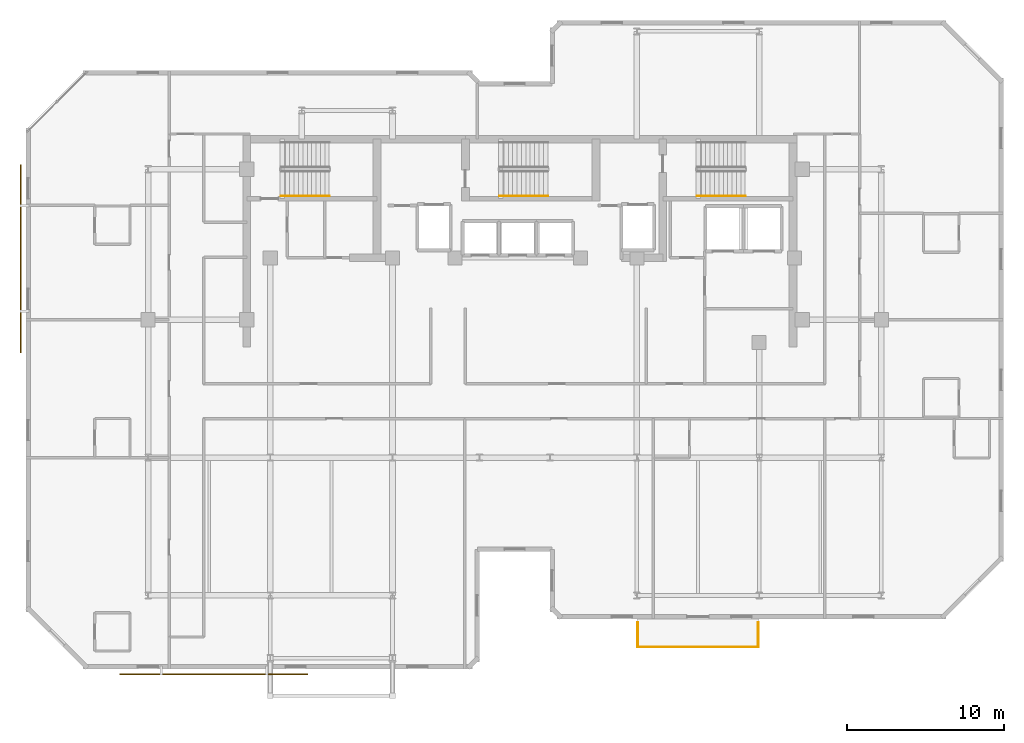
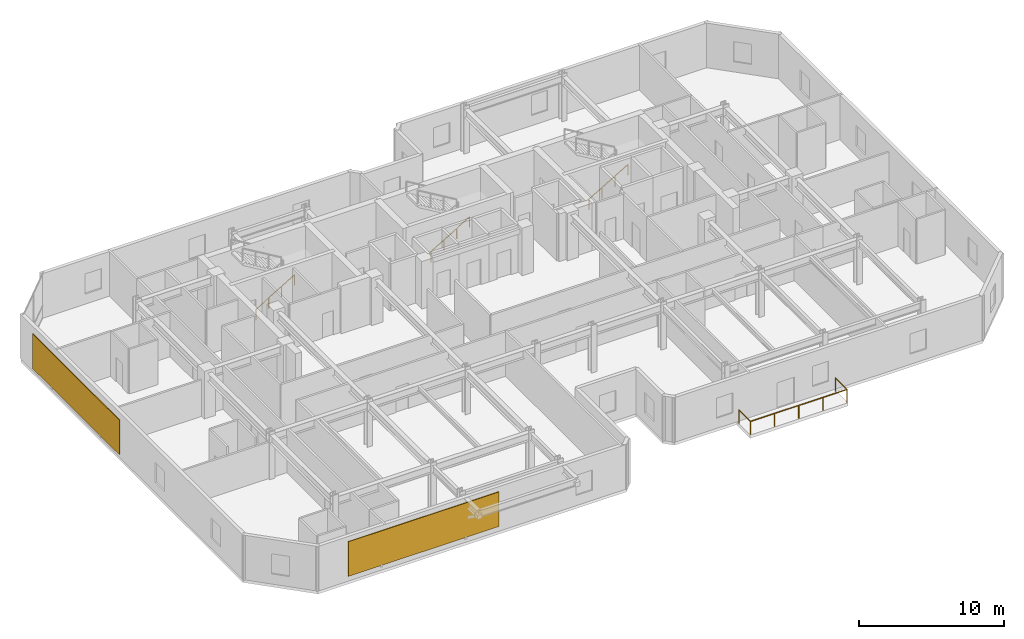
# One storey, part 9 of 10: 5 railings, 2 shading devices.
"""IFC4 building model written with IfcOpenShell, lengths in metres."""

import ifcopenshell
import ifcopenshell.guid

model = None  # the IFC model being written
_history = None  # IfcOwnerHistory: only IFC2X3 demands one
_inside = {}  # id of a spatial element -> (the spatial element, [elements in it])
_under = {}  # id of a project, library or spatial element -> (it, [spatial elements below it])
_declared = {}  # id of a project -> (the project, [libraries it declares])
_typed = {}  # id of a type object -> (the type object, [elements of that type])
_made_of = {}  # id of a material, layer set ... -> (it, [elements and type objects made of it])


def new_model(schema):
    """Start an empty IFC model of exactly this schema.

    Asked for "IFC4X3", IfcOpenShell would pick the latest addendum, in which some entities
    have other attributes; the version numbers below select the first issue.
    IFC2X3 requires an IfcOwnerHistory on every rooted entity: one is made here for all.
    """
    global model, _history
    if schema == "IFC4X3":
        model = ifcopenshell.file(schema_version=(4, 3, 0, 0))
    else:
        model = ifcopenshell.file(schema=schema)
    _inside.clear()
    _under.clear()
    _declared.clear()
    _typed.clear()
    _made_of.clear()
    _history = None
    if model.schema == "IFC2X3":
        org = make("IfcOrganization", Name="unknown")
        user = make(
            "IfcPersonAndOrganization",
            ThePerson=make("IfcPerson", FamilyName="unknown"),
            TheOrganization=org,
        )
        app = make(
            "IfcApplication",
            ApplicationDeveloper=org,
            Version="unknown",
            ApplicationFullName="unknown",
            ApplicationIdentifier="unknown",
        )
        _history = make(
            "IfcOwnerHistory",
            OwningUser=user,
            OwningApplication=app,
            ChangeAction="ADDED",
            CreationDate=0,
        )
    return model


def make(cls, **values):
    """One entity of the class cls with the attributes given. An attribute that is None is left unset."""
    return model.create_entity(
        cls, **{name: value for name, value in values.items() if value is not None}
    )


def rooted(cls, **values):
    """An entity with a GlobalId (a new one), such as an element, a storey or a relation."""
    return make(cls, GlobalId=ifcopenshell.guid.new(), OwnerHistory=_history, **values)


def si_unit(unit_type, name, prefix=None):
    """IfcSIUnit, for example si_unit("LENGTHUNIT", "METRE", prefix="MILLI")."""
    return make("IfcSIUnit", UnitType=unit_type, Prefix=prefix, Name=name)


def assignment(units):
    """IfcUnitAssignment: the units of a project."""
    return None if units is None else make("IfcUnitAssignment", Units=units)


def point(xyz):
    """IfcCartesianPoint."""
    return None if xyz is None else make("IfcCartesianPoint", Coordinates=xyz)


def direction(xyz):
    """IfcDirection."""
    return None if xyz is None else make("IfcDirection", DirectionRatios=xyz)


def frame(location, z_axis=None, x_axis=None):
    """IfcAxis2Placement3D, a coordinate frame: its origin and axes. An axis left out is left unset."""
    return make(
        "IfcAxis2Placement3D",
        Location=point(location),
        Axis=direction(z_axis),
        RefDirection=direction(x_axis),
    )


def frame_2d(location, x_axis=None):
    """IfcAxis2Placement2D, a coordinate frame in the plane: its origin and x axis."""
    return make(
        "IfcAxis2Placement2D", Location=point(location), RefDirection=direction(x_axis)
    )


def origin():
    """The frame at (0, 0, 0) with its axes left unset."""
    return frame((0.0, 0.0, 0.0))


def origin_2d():
    """The frame at (0, 0) in the plane with its x axis left unset."""
    return frame_2d((0.0, 0.0))


def place(relative_to, where):
    """IfcLocalPlacement: puts the frame where relative to a parent placement (None: the world)."""
    return make(
        "IfcLocalPlacement", PlacementRelTo=relative_to, RelativePlacement=where
    )


def context(
    kind, dimensions, precision=None, world=None, true_north=None, identifier=None
):
    """IfcGeometricRepresentationContext, for example the 3D "Model" context."""
    return make(
        "IfcGeometricRepresentationContext",
        ContextIdentifier=identifier,
        ContextType=kind,
        CoordinateSpaceDimension=dimensions,
        Precision=precision,
        WorldCoordinateSystem=world,
        TrueNorth=true_north,
    )


def subcontext(parent, identifier, kind, view, scale=None):
    """IfcGeometricRepresentationSubContext, for example "Body" below "Model"."""
    return make(
        "IfcGeometricRepresentationSubContext",
        ContextIdentifier=identifier,
        ContextType=kind,
        ParentContext=parent,
        TargetScale=scale,
        TargetView=view,
    )


def project(units=None, contexts=None):
    """IfcProject with its units and contexts."""
    return rooted(
        "IfcProject",
        Name="project",
        RepresentationContexts=contexts,
        UnitsInContext=assignment(units),
    )


def spatial(cls, under=None, at=None, **own):
    """A site, building, storey or space (cls), placed at a placement, below another one or the project."""
    s = rooted(cls, ObjectPlacement=at, **own)
    if under is not None:
        _under.setdefault(under.id(), (under, []))[1].append(s)
    return s


def profile(cls, at=None, kind="AREA", **sizes):
    """A parametric profile (cls). Its sizes go by their IFC names, for example OverallWidth=200.0."""
    return make(cls, ProfileType=kind, Position=at, **sizes)


def rectangle(**sizes):
    """IfcRectangleProfileDef."""
    return profile("IfcRectangleProfileDef", **sizes)


def circle(**sizes):
    """IfcCircleProfileDef."""
    return profile("IfcCircleProfileDef", **sizes)


def extrude(swept, where, along, depth):
    """IfcExtrudedAreaSolid: the profile swept, set in the frame where, extruded along a direction by depth."""
    return make(
        "IfcExtrudedAreaSolid",
        SweptArea=swept,
        Position=where,
        ExtrudedDirection=direction(along),
        Depth=depth,
    )


def shape(context_of_items, identifier, shape_type, items):
    """IfcShapeRepresentation: the items that make up one representation, for example the "Body"."""
    return make(
        "IfcShapeRepresentation",
        ContextOfItems=context_of_items,
        RepresentationIdentifier=identifier,
        RepresentationType=shape_type,
        Items=items,
    )


def material(Name=None, Category=None):
    """IfcMaterial."""
    return make("IfcMaterial", Name=Name, Category=Category)


def layer(
    of_material, thickness, ventilated=None, Name=None, Category=None, Priority=None
):
    """IfcMaterialLayer: one layer of a wall or slab, of a material (None: an air gap)."""
    return make(
        "IfcMaterialLayer",
        Material=of_material,
        LayerThickness=thickness,
        IsVentilated=ventilated,
        Name=Name,
        Category=Category,
        Priority=Priority,
    )


def layer_set(layers, Name=None):
    """IfcMaterialLayerSet."""
    return make("IfcMaterialLayerSet", MaterialLayers=layers, LayerSetName=Name)


def made_of(thing, what):
    """Note that an element or type object is made of a material, layer set ...; save() writes the relation."""
    if what is not None:
        _made_of.setdefault(what.id(), (what, []))[1].append(thing)
    return thing


def type_object(cls, material=None, **own):
    """A type object (cls), such as IfcWallType, which elements share."""
    return made_of(rooted(cls, **own), material)


def element(
    cls,
    number,
    at=None,
    inside=None,
    cuts=None,
    type_object=None,
    material=None,
    context=None,
    identifier="Body",
    shape_type=None,
    held_by="IfcProductDefinitionShape",
    body=None,
    shapes=None,
    **own,
):
    """One element of the class cls, such as IfcWall. Its Tag is "e" and its number.

    at: its placement. inside: the storey or other place that contains it. cuts: it is an
    opening in that element (IfcRelVoidsElement). A single representation is given by context,
    identifier, shape_type and body (its items); several are given by shapes. held_by: the class
    of the entity that holds the representations. save() writes the other relations.
    """
    e = rooted(cls, Tag="e%d" % number, ObjectPlacement=at, **own)
    if body is not None:
        shapes = [shape(context, identifier, shape_type, body)]
    if shapes is not None:
        e.Representation = make(held_by, Representations=shapes)
    if inside is not None:
        _inside.setdefault(inside.id(), (inside, []))[1].append(e)
    if cuts is not None:
        rooted(
            "IfcRelVoidsElement", RelatingBuildingElement=cuts, RelatedOpeningElement=e
        )
    if type_object is not None:
        _typed.setdefault(type_object.id(), (type_object, []))[1].append(e)
    return made_of(e, material)


def aggregate(whole, parts):
    """IfcRelAggregates: a whole, such as a stair, and the parts it consists of."""
    return rooted("IfcRelAggregates", RelatingObject=whole, RelatedObjects=parts)


def save(model, path):
    """Write the relations noted so far, then the file.

    IfcRelAggregates (storeys below a building ...), IfcRelContainedInSpatialStructure (elements
    in a storey), IfcRelDefinesByType, IfcRelAssociatesMaterial and IfcRelDeclares: one each for
    every whole, place, type object, material and project.
    """
    for whole, parts in _under.values():
        aggregate(whole, parts)
    for where, things in _inside.values():
        rooted(
            "IfcRelContainedInSpatialStructure",
            RelatedElements=things,
            RelatingStructure=where,
        )
    for kind, things in _typed.values():
        rooted("IfcRelDefinesByType", RelatedObjects=things, RelatingType=kind)
    for what, things in _made_of.values():
        rooted("IfcRelAssociatesMaterial", RelatedObjects=things, RelatingMaterial=what)
    for by, libraries in _declared.values():
        rooted("IfcRelDeclares", RelatingContext=by, RelatedDefinitions=libraries)
    model.write(path)


model = new_model("IFC4")

# Units and contexts
model_context = context("Model", 3, precision=1e-05, world=origin(), true_north=direction((0.0, 1.0)))
body_context = subcontext(model_context, "Body", "Model", "MODEL_VIEW")
ifc_project = project(units=[si_unit("LENGTHUNIT", "METRE"), si_unit("AREAUNIT", "SQUARE_METRE"), si_unit("VOLUMEUNIT", "CUBIC_METRE"), si_unit("PLANEANGLEUNIT", "RADIAN"), si_unit("MASSUNIT", "GRAM", prefix="KILO")], contexts=[model_context])

# Site, building, storey
site_placement = place(None, origin())
site = spatial("IfcSite", under=ifc_project, at=site_placement, CompositionType="ELEMENT")
building_placement = place(site_placement, origin())
building = spatial("IfcBuilding", under=site, at=building_placement, Name="Kestravale Grand Hotel", CompositionType="ELEMENT")
storey_placement = place(building_placement, frame((0.0, 0.0, 269.39990234375)))
storey = spatial("IfcBuildingStorey", under=building, at=storey_placement, Name="L67", CompositionType="ELEMENT", Elevation=269.39990234375)

# Railings
ifc_material_1 = material(Name="Champagne-bronze stainless steel and laminated glass guard", Category="steel")
railing_type_1 = type_object("IfcRailingType", Name="RL-EXT-1100", PredefinedType="GUARDRAIL", material=ifc_material_1)
railing_1_placement = place(storey_placement, frame((46.860107421875, 7.909912109375, 0.0)))
element("IfcRailing", 1, at=railing_1_placement, inside=storey, type_object=railing_type_1, Name="L67 outdoor terrace guard 1", PredefinedType="GUARDRAIL", context=body_context, shape_type="SweptSolid", body=[
    extrude(circle(Radius=0.02392578125, at=origin_2d()), frame((0.0, 0.0, 1.09619140625), z_axis=(0.0, 1.0, 0.0), x_axis=(-1.0, 0.0, 0.0)), (0.0, 0.0, 1.0), 1.570068359375),
    extrude(circle(Radius=0.02099609375, at=origin_2d()), origin(), (0.0, 0.0, 1.0), 1.072021484375),
    extrude(circle(Radius=0.02099609375, at=origin_2d()), frame((0.0, 1.570068359375, 0.0)), (0.0, 0.0, 1.0), 1.072021484375),
])
railing_2_placement = place(storey_placement, frame((54.5400390625, 9.47998046875, 0.0)))
element("IfcRailing", 2, at=railing_2_placement, inside=storey, type_object=railing_type_1, Name="L67 outdoor terrace guard 2", PredefinedType="GUARDRAIL", context=body_context, shape_type="SweptSolid", body=[
    extrude(circle(Radius=0.02392578125, at=origin_2d()), frame((0.0, 0.0, 1.09619140625), z_axis=(0.0, -1.0, 0.0), x_axis=(1.0, 0.0, 0.0)), (0.0, 0.0, 1.0), 1.570068359375),
    extrude(circle(Radius=0.02392578125, at=origin_2d()), frame((0.0, -1.570068359375, 1.09619140625), z_axis=(-1.0, 0.0, 0.0), x_axis=(0.0, -1.0, 0.0)), (0.0, 0.0, 1.0), 7.679931640625),
    extrude(circle(Radius=0.02099609375, at=origin_2d()), origin(), (0.0, 0.0, 1.0), 1.072021484375),
    extrude(circle(Radius=0.02099609375, at=origin_2d()), frame((0.0, -1.570068359375, 0.0)), (0.0, 0.0, 1.0), 1.072021484375),
    extrude(circle(Radius=0.02099609375, at=origin_2d()), frame((-1.919921875, -1.570068359375, 0.0)), (0.0, 0.0, 1.0), 1.072021484375),
    extrude(circle(Radius=0.02099609375, at=origin_2d()), frame((-3.83984375, -1.570068359375, 0.0)), (0.0, 0.0, 1.0), 1.072021484375),
    extrude(circle(Radius=0.02099609375, at=origin_2d()), frame((-5.760009765625, -1.570068359375, 0.0)), (0.0, 0.0, 1.0), 1.072021484375),
    extrude(circle(Radius=0.02099609375, at=origin_2d()), frame((-7.679931640625, -1.570068359375, 0.0)), (0.0, 0.0, 1.0), 1.072021484375),
])
ifc_material_2 = material(Name="Brushed stainless steel wall handrail", Category="steel")
railing_type_2 = type_object("IfcRailingType", Name="RL-ST-HND900", PredefinedType="HANDRAIL", material=ifc_material_2)
railing_3_placement = place(storey_placement, frame((24.080078125, 36.699951171875, 0.166748046875)))
element("IfcRailing", 3, at=railing_3_placement, inside=storey, type_object=railing_type_2, Name="L67 ST-1 stair handrail 1", PredefinedType="HANDRAIL", context=body_context, shape_type="SweptSolid", body=[
    extrude(circle(Radius=0.02392578125, at=origin_2d()), frame((0.0, 0.0, 0.8759765625), z_axis=(0.859290745958, 0.0, 0.51148745235), x_axis=(0.0, 1.0, 0.0)), (0.0, 0.0, 1.0), 3.584228515625),
    extrude(circle(Radius=0.02099609375, at=origin_2d()), origin(), (0.0, 0.0, 1.0), 0.851806640625),
    extrude(circle(Radius=0.02099609375, at=origin_2d()), frame((1.026611328125, 0.0, 0.611083984375)), (0.0, 0.0, 1.0), 0.851806640625),
    extrude(circle(Radius=0.02099609375, at=origin_2d()), frame((2.05322265625, 0.0, 1.22216796875)), (0.0, 0.0, 1.0), 0.851806640625),
    extrude(circle(Radius=0.02099609375, at=origin_2d()), frame((3.079833984375, 0.0, 1.833251953125)), (0.0, 0.0, 1.0), 0.851806640625),
])
for number, where, name in (
    (4, (38.030029296875, 36.699951171875, 0.166748046875), "L67 ST-2 stair handrail 1"),
    (5, (50.6298828125, 36.699951171875, 0.166748046875), "L67 ST-3 stair handrail 1"),
):
    element("IfcRailing", number, at=place(storey_placement, frame(where)), inside=storey, type_object=railing_type_2, Name=name, PredefinedType="HANDRAIL", context=body_context, shape_type="SweptSolid", body=[
        extrude(circle(Radius=0.02392578125, at=origin_2d()), frame((0.0, 0.0, 0.8759765625), z_axis=(0.859308565015, 0.0, 0.511457515432), x_axis=(0.0, 1.0, 0.0)), (0.0, 0.0, 1.0), 3.58447265625),
        extrude(circle(Radius=0.02099609375, at=origin_2d()), origin(), (0.0, 0.0, 1.0), 0.851806640625),
        extrude(circle(Radius=0.02099609375, at=origin_2d()), frame((1.026611328125, 0.0, 0.611083984375)), (0.0, 0.0, 1.0), 0.851806640625),
        extrude(circle(Radius=0.02099609375, at=origin_2d()), frame((2.053466796875, 0.0, 1.22216796875)), (0.0, 0.0, 1.0), 0.851806640625),
        extrude(circle(Radius=0.02099609375, at=origin_2d()), frame((3.080078125, 0.0, 1.833251953125)), (0.0, 0.0, 1.0), 0.851806640625),
    ])

# Shading devices
ifc_material_3 = material(Name="Perforated champagne-bronze aluminium and ceramic solar screen", Category="aluminium")
ifc_layer = layer(ifc_material_3, 0.06494140625)
ifc_layer_set = layer_set([ifc_layer], Name="SHD-SCR-CHEV")
shading_device_type = type_object("IfcShadingDeviceType", Name="SHD-SCR-CHEV", PredefinedType="USERDEFINED", material=ifc_layer_set)
for number, where, z_axis, x_axis, name in (
    (6, (19.800048828125, 6.159912109375, 0.7001953125), (0.0, 0.0, 1.0), (1.0, 0.0, 0.0), "L67 Perforated bronze ceramic chevron solar screen SCR-L67-01"),
    (7, (7.4599609375, 32.699951171875, 0.7001953125), (0.0, 0.0, 1.0), (0.0, -1.0, 0.0), "L67 Perforated bronze ceramic chevron solar screen SCR-L67-19"),
):
    element("IfcShadingDevice", number, at=place(storey_placement, frame(where, z_axis=z_axis, x_axis=x_axis)), inside=storey, type_object=shading_device_type, Name=name, ObjectType="SCREEN", PredefinedType="USERDEFINED", context=body_context, shape_type="SweptSolid", body=[
        extrude(rectangle(XDim=12.0, YDim=0.06494140625, at=origin_2d()), origin(), (0.0, 0.0, 1.0), 2.909912109375),
    ])

save(model, "model.ifc")
